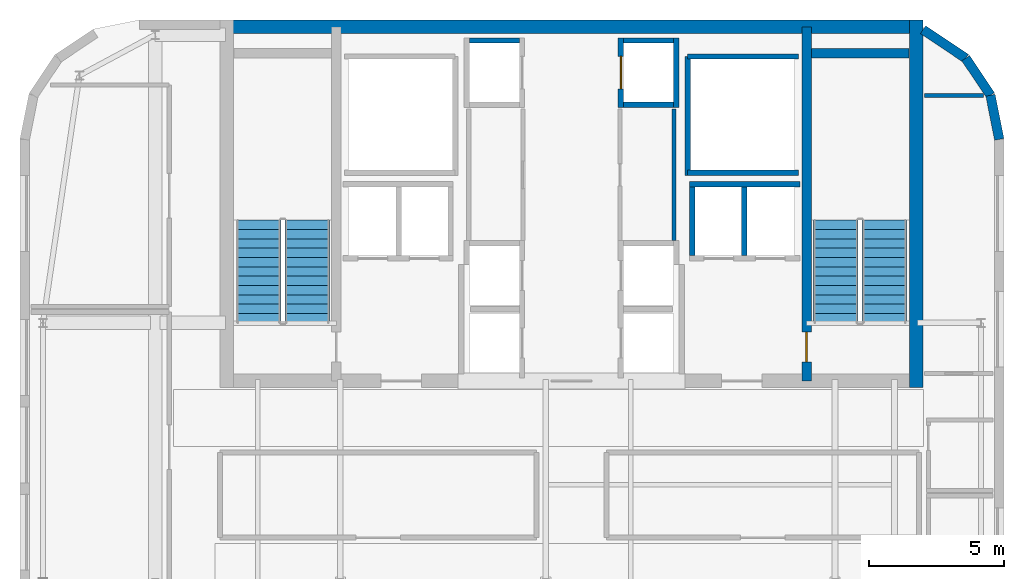
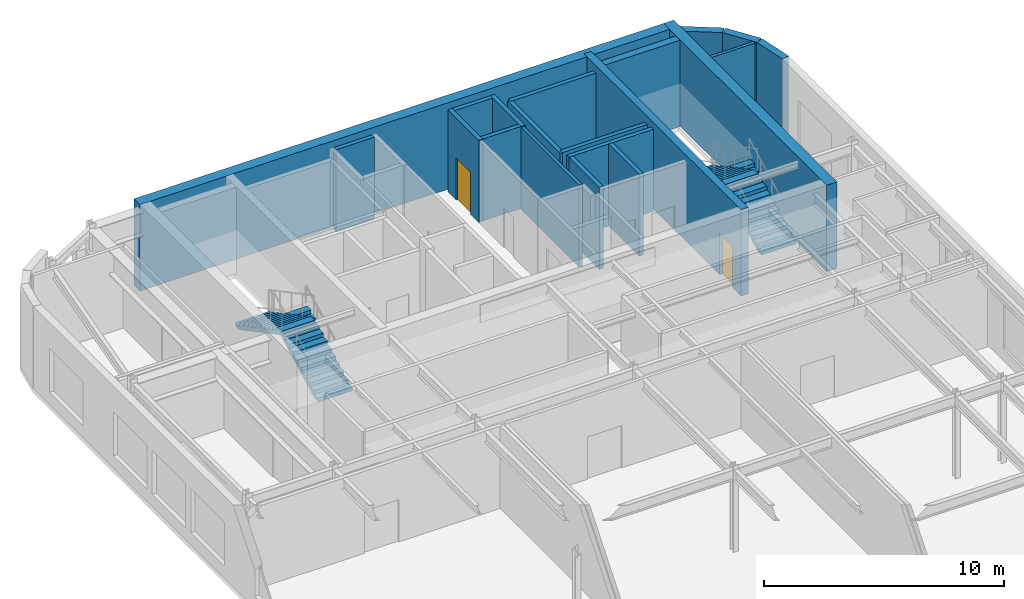
# One storey, part 9 of 10: 20 walls, 4 stair flights, 2 doors, 2 openings, 2 elements without a shape of their own.
"""IFC4 building model written with IfcOpenShell, lengths in metres."""

from ifc_helpers import new_model, si_unit, direction, frame, frame_2d, origin, place, context, subcontext, project, spatial, polyline, rectangle, outline, extrude, source, transform, mapped, material, layer, layer_set, type_object, type_shapes, element, fill, aggregate, save


model = new_model("IFC4")

# Units and contexts
model_context = context("Model", 3, precision=1e-05, world=origin(), true_north=direction((0.0, 1.0)))
body_context = subcontext(model_context, "Body", "Model", "MODEL_VIEW")
ifc_project = project(units=[si_unit("LENGTHUNIT", "METRE"), si_unit("AREAUNIT", "SQUARE_METRE"), si_unit("VOLUMEUNIT", "CUBIC_METRE"), si_unit("PLANEANGLEUNIT", "RADIAN"), si_unit("MASSUNIT", "GRAM", prefix="KILO")], contexts=[model_context])

# Site, building, storey
site_placement = place(None, origin())
site = spatial("IfcSite", under=ifc_project, at=site_placement, CompositionType="ELEMENT")
building_placement = place(site_placement, origin())
building = spatial("IfcBuilding", under=site, at=building_placement, Name="Tolvann Quenvar Hotel", CompositionType="ELEMENT")
storey_placement = place(building_placement, frame((0.0, 0.0, 282.14990234375)))
storey = spatial("IfcBuildingStorey", under=building, at=storey_placement, Name="L75", CompositionType="ELEMENT", Elevation=282.14990234375)

# Walls
ifc_material_1 = material(Name="Concrete N50 (50 MPa)", Category="concrete")
ifc_layer_1 = layer(ifc_material_1, 0.5)
ifc_layer_set_1 = layer_set([ifc_layer_1], Name="Concrete N50 (50 MPa)")
wall_type_1 = type_object("IfcWallType", Name="WALL_CORE_500", PredefinedType="SHEAR", material=ifc_layer_set_1)
wall_1_placement = place(storey_placement, frame((10.0, 44.949951171875, 0.0), z_axis=(0.0, 0.0, 1.0), x_axis=(1.0, 0.0, 0.0)))
element("IfcWall", 1, at=wall_1_placement, inside=storey, type_object=wall_type_1, Name="Rear Core N Shear Wall (L75)", PredefinedType="SHEAR", context=body_context, shape_type="SweptSolid", body=[
    extrude(rectangle(XDim=26.0, YDim=0.5, at=frame_2d((13.0, 0.0))), origin(), (0.0, 0.0, 1.0), 4.400146484375),
])
wall_2_placement = place(storey_placement, frame((35.75, 31.60009765625, 0.0), z_axis=(0.0, 0.0, 1.0), x_axis=(0.0, 1.0, 0.0)))
element("IfcWall", 2, at=wall_2_placement, inside=storey, type_object=wall_type_1, Name="Rear Core E Shear Wall (L75)", PredefinedType="SHEAR", context=body_context, shape_type="SweptSolid", body=[
    extrude(rectangle(XDim=13.599853515625, YDim=0.5, at=frame_2d((6.7998046875, 0.0))), origin(), (0.0, 0.0, 1.0), 4.400146484375),
])

# Wall, opening, door
ifc_material_2 = material(Name="Concrete S65 (65 MPa)", Category="concrete")
ifc_layer_2 = layer(ifc_material_2, 0.35009765625)
ifc_layer_set_2 = layer_set([ifc_layer_2], Name="Concrete S65 (65 MPa)")
wall_type_2 = type_object("IfcWallType", Name="WALL_CORE_INT_350", PredefinedType="SHEAR", material=ifc_layer_set_2)
wall_3_placement = place(storey_placement, frame((31.699951171875, 31.85009765625, 0.0), z_axis=(0.0, 0.0, 1.0), x_axis=(0.0, 1.0, 0.0)))
wall_3 = element("IfcWall", 3, at=wall_3_placement, inside=storey, type_object=wall_type_2, Name="Core Internal Web Shear Wall WEB-E (L75)", PredefinedType="SHEAR", context=body_context, shape_type="SweptSolid", body=[
    extrude(rectangle(XDim=13.099853515625, YDim=0.35009765625, at=frame_2d((6.5498046875, 0.0))), origin(), (0.0, 0.0, 1.0), 4.400146484375),
])
opening_1_placement = place(wall_3_placement, frame((1.800048828125, 0.0, 0.0), z_axis=(0.0, 0.0, 1.0), x_axis=(-1.0, 0.0, 0.0)))
opening_1 = element("IfcOpeningElement", 4, at=opening_1_placement, cuts=wall_3, Name="Opening FD-120", PredefinedType="OPENING", context=body_context, shape_type="SweptSolid", body=[
    extrude(rectangle(XDim=1.10009765625, YDim=2.1201171875, at=frame_2d((0.550048828125, 1.06005859375))), frame((0.0, 0.18505859375, 0.0), z_axis=(0.0, -1.0, 0.0), x_axis=(1.0, 0.0, 0.0)), (0.0, 0.0, 1.0), 0.3701171875),
])
ifc_material_3 = material(Name="Pressed galvanised steel fire-rated door set", Category="steel")
door_type_1 = type_object("IfcDoorType", Name="DOOR_FIRE_STAIR_1100", OperationType="NOTDEFINED", PredefinedType="DOOR", material=ifc_material_3)
shared_shape_1 = source(origin(), body_context, "Body", "SweptSolid", [
    extrude(rectangle(XDim=1.10009765625, YDim=2.1201171875, at=frame_2d((0.550048828125, 1.06005859375))), frame((0.0, 0.02490234375, 0.0), z_axis=(0.0, -1.0, 0.0), x_axis=(1.0, 0.0, 0.0)), (0.0, 0.0, 1.0), 0.050048828125),
])
type_shapes(door_type_1, [shared_shape_1])
door_1_placement = place(opening_1_placement, origin())
door_1 = element("IfcDoor", 5, at=door_1_placement, inside=storey, type_object=door_type_1, Name="Exit Stair ST-C2 Fire Door (L75)", OperationType="SINGLE_SWING_RIGHT", OverallHeight=2.1201171875, OverallWidth=1.10009765625, PredefinedType="DOOR", context=body_context, shape_type="MappedRepresentation", body=[
    mapped(shared_shape_1, transform((0.0, 0.0, 0.0), x_axis=(1.0, 0.0, 0.0), y_axis=(0.0, 1.0, 0.0), z_axis=(0.0, 0.0, 1.0), scale=1.0)),
])
fill(opening_1, door_1)

# Walls
wall_4_placement = place(storey_placement, frame((31.8798828125, 43.97509765625, 0.0), z_axis=(0.0, 0.0, 1.0), x_axis=(1.0, 0.0, 0.0)))
element("IfcWall", 6, at=wall_4_placement, inside=storey, type_object=wall_type_2, Name="Core Stair North Closing Shear Wall STC2-N (L75)", PredefinedType="SHEAR", context=body_context, shape_type="SweptSolid", body=[
    extrude(rectangle(XDim=3.60009765625, YDim=0.35009765625, at=frame_2d((1.800048828125, 0.0))), origin(), (0.0, 0.0, 1.0), 4.400146484375),
])
ifc_material_4 = material(Name="Kiln-fired red and buff architectural clay brickwork and terracotta masonry", Category="masonry")
ifc_layer_3 = layer(ifc_material_4, 0.35009765625)
ifc_layer_set_3 = layer_set([ifc_layer_3], Name="Kiln-fired red and buff architectural clay brickwork and terracotta masonry")
wall_type_3 = type_object("IfcWallType", Name="WALL_EXT_BRICK_350", PredefinedType="SOLIDWALL", material=ifc_layer_set_3)
wall_5_placement = place(storey_placement, frame((38.824951171875, 40.78271484375, 0.0), z_axis=(0.0, 0.0, 1.0), x_axis=(-0.195044345786, 0.980794424524, 0.0)))
element("IfcWall", 7, at=wall_5_placement, inside=storey, type_object=wall_type_3, Name="Exterior Chicago Brick Wall L75-E10", PredefinedType="SOLIDWALL", context=body_context, shape_type="SweptSolid", body=[
    extrude(rectangle(XDim=1.664794921875, YDim=0.35009765625, at=frame_2d((0.83251953125, 0.0))), origin(), (0.0, 0.0, 1.0), 4.18017578125),
])
wall_6_placement = place(storey_placement, frame((38.500244140625, 42.41552734375, 0.0), z_axis=(0.0, 0.0, 1.0), x_axis=(-0.555520825599, 0.831502623162, 0.0)))
element("IfcWall", 8, at=wall_6_placement, inside=storey, type_object=wall_type_3, Name="Exterior Chicago Brick Wall L75-E11", PredefinedType="SOLIDWALL", context=body_context, shape_type="SweptSolid", body=[
    extrude(rectangle(XDim=1.647216796875, YDim=0.35009765625, at=frame_2d((0.82373046875, 0.0))), origin(), (0.0, 0.0, 1.0), 4.18017578125),
])
wall_7_placement = place(storey_placement, frame((37.585205078125, 43.78515625, 0.0), z_axis=(0.0, 0.0, 1.0), x_axis=(-0.831516639465, 0.555499845448, 0.0)))
element("IfcWall", 9, at=wall_7_placement, inside=storey, type_object=wall_type_3, Name="Exterior Chicago Brick Wall L75-E12", PredefinedType="SOLIDWALL", context=body_context, shape_type="SweptSolid", body=[
    extrude(rectangle(XDim=1.901611328125, YDim=0.35009765625, at=frame_2d((0.95068359375, 0.0))), origin(), (0.0, 0.0, 1.0), 4.18017578125),
])
ifc_material_5 = material(Name="Acoustic twin-stud fire-rated gypsum plasterboard partition")
ifc_layer_4 = layer(ifc_material_5, 0.14990234375)
ifc_layer_set_4 = layer_set([ifc_layer_4], Name="Acoustic twin-stud fire-rated gypsum plasterboard partition")
wall_type_4 = type_object("IfcWallType", Name="WALL_PART_SUITE_150", PredefinedType="PARTITIONING", material=ifc_layer_set_4)
wall_8_placement = place(storey_placement, frame((26.800048828125, 37.0400390625, 0.0), z_axis=(0.0, 0.0, 1.0), x_axis=(0.0, 1.0, 0.0)))
element("IfcWall", 10, at=wall_8_placement, inside=storey, type_object=wall_type_4, Name="Interior Partition PT-SPC-L75-RECPM-E-E", PredefinedType="PARTITIONING", context=body_context, shape_type="SweptSolid", body=[
    extrude(rectangle(XDim=4.85986328125, YDim=0.14990234375, at=frame_2d((2.429931640625, 0.0))), origin(), (0.0, 0.0, 1.0), 4.18017578125),
])
wall_9_placement = place(storey_placement, frame((36.054931640625, 42.39990234375, 0.0), z_axis=(0.0, 0.0, 1.0), x_axis=(1.0, 0.0, 0.0)))
element("IfcWall", 11, at=wall_9_placement, inside=storey, type_object=wall_type_4, Name="Interior Partition PT-SPC-L75-RECPL-N", PredefinedType="PARTITIONING", context=body_context, shape_type="SweptSolid", body=[
    extrude(rectangle(XDim=2.178955078125, YDim=0.14990234375, at=frame_2d((1.08935546875, 0.0))), origin(), (0.0, 0.0, 1.0), 4.18017578125),
])
ifc_material_6 = material(Name="Concrete N40 (40 MPa)", Category="concrete")
ifc_layer_5 = layer(ifc_material_6, 0.199951171875)
ifc_layer_set_5 = layer_set([ifc_layer_5], Name="Concrete N40 (40 MPa)")
wall_type_5 = type_object("IfcWallType", Name="WALL_SHAFT_200", PredefinedType="SOLIDWALL", material=ifc_layer_set_5)
wall_10_placement = place(storey_placement, frame((27.300048828125, 39.449951171875, 0.0), z_axis=(0.0, 0.0, 1.0), x_axis=(0.0, 1.0, 0.0)))
element("IfcWall", 12, at=wall_10_placement, inside=storey, type_object=wall_type_5, Name="Service Riser E Shaft Wall IN (L75)", PredefinedType="SOLIDWALL", context=body_context, shape_type="SweptSolid", body=[
    extrude(rectangle(XDim=4.400146484375, YDim=0.199951171875, at=frame_2d((2.2001953125, 0.0))), origin(), (0.0, 0.0, 1.0), 4.18017578125),
])
for number, where, z_axis, x_axis, name in (
    (13, (27.300048828125, 39.550048828125, 0.0), (0.0, 0.0, 1.0), (1.0, 0.0, 0.0), "Service Riser E Shaft Wall S (L75)"),
    (14, (27.300048828125, 43.85009765625, 0.0), (0.0, 0.0, 1.0), (1.0, 0.0, 0.0), "Service Riser E Shaft Wall N (L75)"),
):
    element("IfcWall", number, at=place(storey_placement, frame(where, z_axis=z_axis, x_axis=x_axis)), inside=storey, type_object=wall_type_5, Name=name, PredefinedType="SOLIDWALL", context=body_context, shape_type="SweptSolid", body=[
        extrude(rectangle(XDim=4.099853515625, YDim=0.199951171875, at=frame_2d((2.0498046875, 0.0))), origin(), (0.0, 0.0, 1.0), 4.18017578125),
    ])
wall_11_placement = place(storey_placement, frame((19.22998046875, 44.43994140625, 0.0), z_axis=(0.0, 0.0, 1.0), x_axis=(1.0, 0.0, 0.0)))
element("IfcWall", 15, at=wall_11_placement, inside=storey, type_object=wall_type_5, Name="Lift Bank E21.1C2 Hoistway Cheek Wall 2 (L75)", PredefinedType="SOLIDWALL", context=body_context, shape_type="SweptSolid", body=[
    extrude(rectangle(XDim=1.840087890625, YDim=0.199951171875, at=frame_2d((0.919921875, 0.0))), origin(), (0.0, 0.0, 1.0), 4.18017578125),
])
wall_12_placement = place(storey_placement, frame((27.375, 39.1201171875, 0.0), z_axis=(0.0, 0.0, 1.0), x_axis=(1.0, 0.0, 0.0)))
element("IfcWall", 16, at=wall_12_placement, inside=storey, type_object=wall_type_5, Name="Lift Bank SEC1 Hoistway Rear Wall (L75)", PredefinedType="SOLIDWALL", context=body_context, shape_type="SweptSolid", body=[
    extrude(rectangle(XDim=4.074951171875, YDim=0.199951171875, at=frame_2d((2.03759765625, 0.0))), origin(), (0.0, 0.0, 1.0), 4.18017578125),
])
for number, where, z_axis, x_axis, name in (
    (17, (27.47509765625, 36.47998046875, 0.0), (0.0, 0.0, 1.0), (0.0, 1.0, 0.0), "Lift Bank SEC1 Hoistway Cheek Wall 1 (L75)"),
    (18, (29.387451171875, 36.47998046875, 0.0), (0.0, 0.0, 1.0), (0.0, 1.0, 0.0), "Lift Bank SEC1 Divider Wall 1 (L75)"),
):
    element("IfcWall", number, at=place(storey_placement, frame(where, z_axis=z_axis, x_axis=x_axis)), inside=storey, type_object=wall_type_5, Name=name, PredefinedType="SOLIDWALL", context=body_context, shape_type="SweptSolid", body=[
        extrude(rectangle(XDim=2.5400390625, YDim=0.199951171875, at=frame_2d((1.27001953125, 0.0))), origin(), (0.0, 0.0, 1.0), 4.18017578125),
    ])

# Wall, opening, door
wall_13_placement = place(storey_placement, frame((24.830078125, 41.9599609375, 0.0), z_axis=(0.0, 0.0, 1.0), x_axis=(0.0, 1.0, 0.0)))
wall_13 = element("IfcWall", 19, at=wall_13_placement, inside=storey, type_object=wall_type_5, Name="Lift Bank W24.9C2 Hoistway Front Wall (L75)", PredefinedType="SOLIDWALL", context=body_context, shape_type="SweptSolid", body=[
    extrude(rectangle(XDim=2.580078125, YDim=0.199951171875, at=frame_2d((1.2900390625, 0.0))), origin(), (0.0, 0.0, 1.0), 4.18017578125),
])
opening_2_placement = place(wall_13_placement, frame((0.68994140625, 0.0, 0.0)))
opening_2 = element("IfcOpeningElement", 20, at=opening_2_placement, cuts=wall_13, Name="Opening LD-02", PredefinedType="OPENING", context=body_context, shape_type="SweptSolid", body=[
    extrude(rectangle(XDim=1.199951171875, YDim=2.14990234375, at=frame_2d((0.60009765625, 1.074951171875))), frame((0.0, 0.10986328125, 0.0), z_axis=(0.0, -1.0, 0.0), x_axis=(1.0, 0.0, 0.0)), (0.0, 0.0, 1.0), 0.219970703125),
])
ifc_material_7 = material(Name="Brushed 316 stainless steel automatic sliding lift landing door", Category="steel")
door_type_2 = type_object("IfcDoorType", Name="DOOR_LIFT_OBS_1200", OperationType="NOTDEFINED", PredefinedType="DOOR", material=ifc_material_7)
shared_shape_2 = source(origin(), body_context, "Body", "SweptSolid", [
    extrude(rectangle(XDim=1.199951171875, YDim=2.14990234375, at=frame_2d((0.60009765625, 1.074951171875))), frame((0.0, 0.02490234375, 0.0), z_axis=(0.0, -1.0, 0.0), x_axis=(1.0, 0.0, 0.0)), (0.0, 0.0, 1.0), 0.050048828125),
])
type_shapes(door_type_2, [shared_shape_2])
door_2_placement = place(opening_2_placement, origin())
door_2 = element("IfcDoor", 21, at=door_2_placement, inside=storey, type_object=door_type_2, Name="Lift OB-2 Sliding Landing Door (L75)", OperationType="SLIDING_TO_LEFT", OverallHeight=2.14990234375, OverallWidth=1.199951171875, PredefinedType="DOOR", context=body_context, shape_type="MappedRepresentation", body=[
    mapped(shared_shape_2, transform((0.0, 0.0, 0.0), x_axis=(1.0, 0.0, 0.0), y_axis=(0.0, 1.0, 0.0), z_axis=(0.0, 0.0, 1.0), scale=1.0)),
])
fill(opening_2, door_2)

# Walls
wall_14_placement = place(storey_placement, frame((26.8701171875, 41.9599609375, 0.0), z_axis=(0.0, 0.0, 1.0), x_axis=(0.0, 1.0, 0.0)))
element("IfcWall", 22, at=wall_14_placement, inside=storey, type_object=wall_type_5, Name="Lift Bank W24.9C2 Hoistway Rear Wall (L75)", PredefinedType="SOLIDWALL", context=body_context, shape_type="SweptSolid", body=[
    extrude(rectangle(XDim=2.580078125, YDim=0.199951171875, at=frame_2d((1.2900390625, 0.0))), origin(), (0.0, 0.0, 1.0), 4.18017578125),
])
for number, where, z_axis, x_axis, name in (
    (23, (24.929931640625, 42.06005859375, 0.0), (0.0, 0.0, 1.0), (1.0, 0.0, 0.0), "Lift Bank W24.9C2 Hoistway Cheek Wall 1 (L75)"),
    (24, (24.929931640625, 44.43994140625, 0.0), (0.0, 0.0, 1.0), (1.0, 0.0, 0.0), "Lift Bank W24.9C2 Hoistway Cheek Wall 2 (L75)"),
):
    element("IfcWall", number, at=place(storey_placement, frame(where, z_axis=z_axis, x_axis=x_axis)), inside=storey, type_object=wall_type_5, Name=name, PredefinedType="SOLIDWALL", context=body_context, shape_type="SweptSolid", body=[
        extrude(rectangle(XDim=1.840087890625, YDim=0.199951171875, at=frame_2d((0.919921875, 0.0))), origin(), (0.0, 0.0, 1.0), 4.18017578125),
    ])

# Stair, stair flights
stair_type = type_object("IfcStairType", Name="STAIR", PredefinedType="HALF_TURN_STAIR", material=ifc_material_6)
stair_1_placement = place(storey_placement, origin())
stair_1 = element("IfcStair", 25, at=stair_1_placement, inside=storey, type_object=stair_type, Name="L75 ST-C1", PredefinedType="HALF_TURN_STAIR")
stair_flight_type = type_object("IfcStairFlightType", Name="STAIR_FLIGHT", PredefinedType="STRAIGHT", material=ifc_material_6)
stair_flight_1_placement = place(storey_placement, frame((13.22509765625, 34.0, 0.0), z_axis=(0.0, 0.0, 1.0), x_axis=(0.0, 1.0, 0.0)))
stair_flight_1 = element("IfcStairFlight", 26, at=stair_flight_1_placement, type_object=stair_flight_type, Name="ST-C1 flight 1", NumberOfRisers=12, NumberOfTreads=11, PredefinedType="STRAIGHT", RiserHeight=0.183333333, TreadLength=0.345, context=body_context, shape_type="SweptSolid", body=[
    extrude(outline(polyline([(0.0, 0.0), (0.0, 0.183349609375), (0.344970703125, 0.183349609375), (0.344970703125, 0.36669921875), (0.68994140625, 0.36669921875), (0.68994140625, 0.550048828125), (1.034912109375, 0.550048828125), (1.034912109375, 0.7333984375), (1.3798828125, 0.7333984375), (1.3798828125, 0.916748046875), (1.72509765625, 0.916748046875), (1.72509765625, 1.10009765625), (2.070068359375, 1.10009765625), (2.070068359375, 1.283447265625), (2.4150390625, 1.283447265625), (2.4150390625, 1.466552734375), (2.760009765625, 1.466552734375), (2.760009765625, 1.64990234375), (3.10498046875, 1.64990234375), (3.10498046875, 1.833251953125), (3.449951171875, 1.833251953125), (3.449951171875, 2.0166015625), (3.794921875, 2.0166015625), (3.794921875, 2.199951171875), (3.794921875, 1.846923828125), (0.3193359375, 0.0), (0.0, 0.0)])), frame((0.0, 0.824951171875, 0.0), z_axis=(0.0, -1.0, 0.0), x_axis=(1.0, 0.0, 0.0)), (0.0, 0.0, 1.0), 1.64990234375),
])
stair_flight_2_placement = place(storey_placement, frame((11.425048828125, 37.794921875, 2.2001953125), z_axis=(0.0, 0.0, 1.0), x_axis=(0.0, -1.0, 0.0)))
stair_flight_2 = element("IfcStairFlight", 27, at=stair_flight_2_placement, type_object=stair_flight_type, Name="ST-C1 flight 2", NumberOfRisers=12, NumberOfTreads=11, PredefinedType="STRAIGHT", RiserHeight=0.183333333, TreadLength=0.345, context=body_context, shape_type="SweptSolid", body=[
    extrude(outline(polyline([(0.0, 0.0), (0.0, 0.183349609375), (0.344970703125, 0.183349609375), (0.344970703125, 0.36669921875), (0.68994140625, 0.36669921875), (0.68994140625, 0.550048828125), (1.034912109375, 0.550048828125), (1.034912109375, 0.7333984375), (1.3798828125, 0.7333984375), (1.3798828125, 0.916748046875), (1.72509765625, 0.916748046875), (1.72509765625, 1.10009765625), (2.070068359375, 1.10009765625), (2.070068359375, 1.283447265625), (2.4150390625, 1.283447265625), (2.4150390625, 1.466552734375), (2.760009765625, 1.466552734375), (2.760009765625, 1.64990234375), (3.10498046875, 1.64990234375), (3.10498046875, 1.833251953125), (3.449951171875, 1.833251953125), (3.449951171875, 2.0166015625), (3.794921875, 2.0166015625), (3.794921875, 2.199951171875), (3.794921875, 1.846923828125), (0.3193359375, 0.0), (0.0, 0.0)])), frame((0.0, 0.824951171875, 0.0), z_axis=(0.0, -1.0, 0.0), x_axis=(1.0, 0.0, 0.0)), (0.0, 0.0, 1.0), 1.64990234375),
])
aggregate(stair_1, [stair_flight_1, stair_flight_2])

stair_2_placement = place(storey_placement, origin())
stair_2 = element("IfcStair", 28, at=stair_2_placement, inside=storey, type_object=stair_type, Name="L75 ST-C2", PredefinedType="HALF_TURN_STAIR")
stair_flight_3_placement = place(storey_placement, frame((34.574951171875, 34.0, 0.0), z_axis=(0.0, 0.0, 1.0), x_axis=(0.0, 1.0, 0.0)))
stair_flight_3 = element("IfcStairFlight", 29, at=stair_flight_3_placement, type_object=stair_flight_type, Name="ST-C2 flight 1", NumberOfRisers=12, NumberOfTreads=11, PredefinedType="STRAIGHT", RiserHeight=0.183333333, TreadLength=0.345, context=body_context, shape_type="SweptSolid", body=[
    extrude(outline(polyline([(0.0, 0.0), (0.0, 0.183349609375), (0.344970703125, 0.183349609375), (0.344970703125, 0.36669921875), (0.68994140625, 0.36669921875), (0.68994140625, 0.550048828125), (1.034912109375, 0.550048828125), (1.034912109375, 0.7333984375), (1.3798828125, 0.7333984375), (1.3798828125, 0.916748046875), (1.72509765625, 0.916748046875), (1.72509765625, 1.10009765625), (2.070068359375, 1.10009765625), (2.070068359375, 1.283447265625), (2.4150390625, 1.283447265625), (2.4150390625, 1.466552734375), (2.760009765625, 1.466552734375), (2.760009765625, 1.64990234375), (3.10498046875, 1.64990234375), (3.10498046875, 1.833251953125), (3.449951171875, 1.833251953125), (3.449951171875, 2.0166015625), (3.794921875, 2.0166015625), (3.794921875, 2.199951171875), (3.794921875, 1.846923828125), (0.3193359375, 0.0), (0.0, 0.0)])), frame((0.0, 0.824951171875, 0.0), z_axis=(0.0, -1.0, 0.0), x_axis=(1.0, 0.0, 0.0)), (0.0, 0.0, 1.0), 1.64990234375),
])
stair_flight_4_placement = place(storey_placement, frame((32.77490234375, 37.794921875, 2.2001953125), z_axis=(0.0, 0.0, 1.0), x_axis=(0.0, -1.0, 0.0)))
stair_flight_4 = element("IfcStairFlight", 30, at=stair_flight_4_placement, type_object=stair_flight_type, Name="ST-C2 flight 2", NumberOfRisers=12, NumberOfTreads=11, PredefinedType="STRAIGHT", RiserHeight=0.183333333, TreadLength=0.345, context=body_context, shape_type="SweptSolid", body=[
    extrude(outline(polyline([(0.0, 0.0), (0.0, 0.183349609375), (0.344970703125, 0.183349609375), (0.344970703125, 0.36669921875), (0.68994140625, 0.36669921875), (0.68994140625, 0.550048828125), (1.034912109375, 0.550048828125), (1.034912109375, 0.7333984375), (1.3798828125, 0.7333984375), (1.3798828125, 0.916748046875), (1.72509765625, 0.916748046875), (1.72509765625, 1.10009765625), (2.070068359375, 1.10009765625), (2.070068359375, 1.283447265625), (2.4150390625, 1.283447265625), (2.4150390625, 1.466552734375), (2.760009765625, 1.466552734375), (2.760009765625, 1.64990234375), (3.10498046875, 1.64990234375), (3.10498046875, 1.833251953125), (3.449951171875, 1.833251953125), (3.449951171875, 2.0166015625), (3.794921875, 2.0166015625), (3.794921875, 2.199951171875), (3.794921875, 1.846923828125), (0.3193359375, 0.0), (0.0, 0.0)])), frame((0.0, 0.824951171875, 0.0), z_axis=(0.0, -1.0, 0.0), x_axis=(1.0, 0.0, 0.0)), (0.0, 0.0, 1.0), 1.64990234375),
])
aggregate(stair_2, [stair_flight_3, stair_flight_4])

save(model, "model.ifc")
